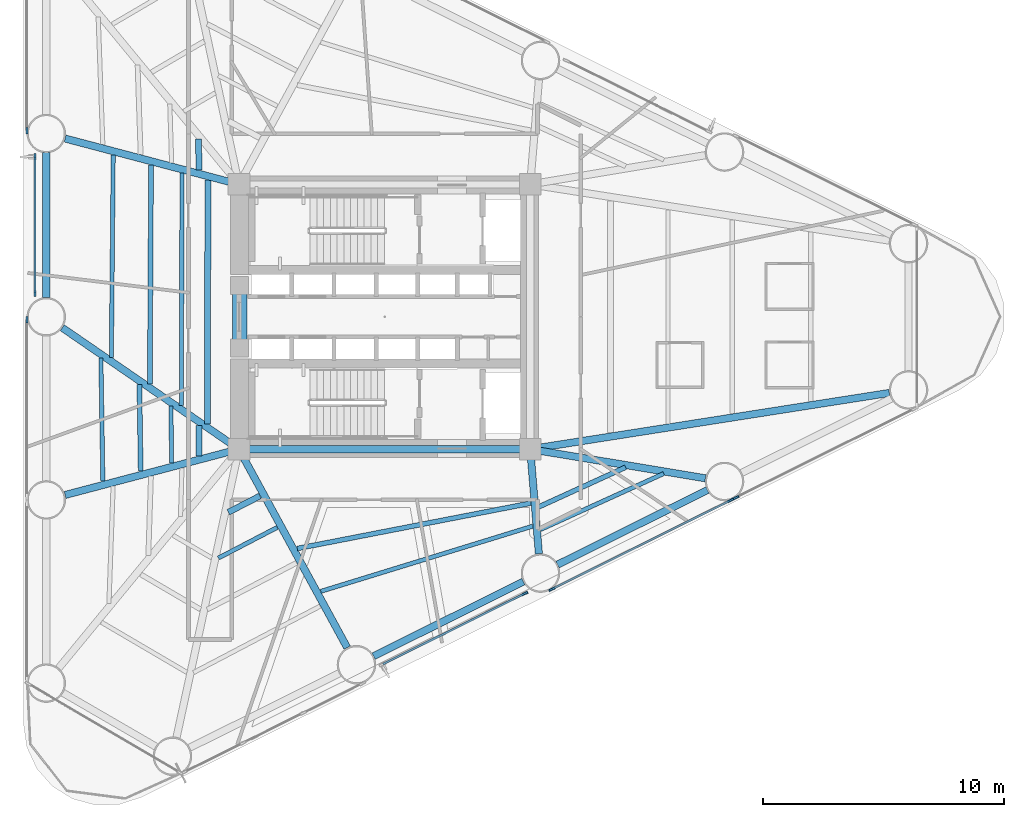
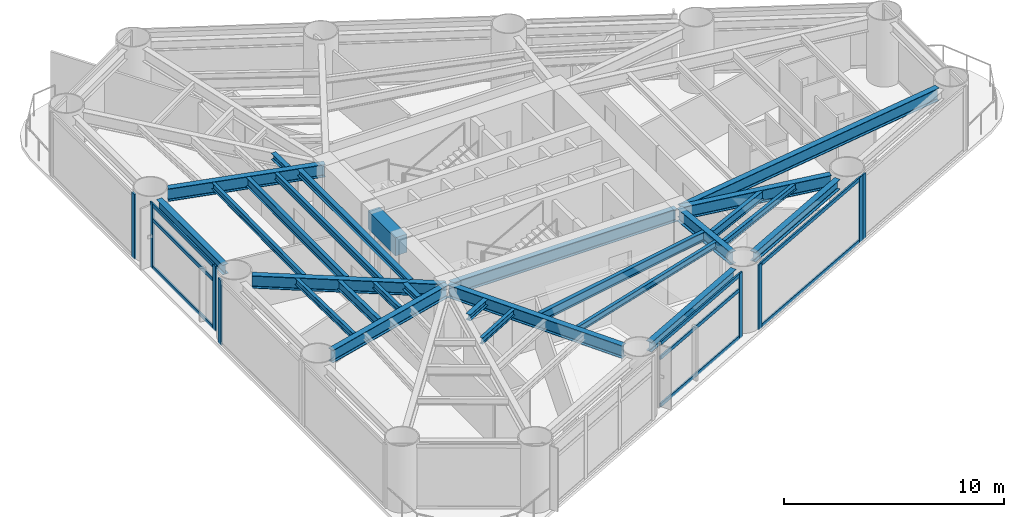
# One storey, part 2 of 11: 27 beams, 16 members, 6 elements without a shape of their own.
"""IFC4 building model written with IfcOpenShell, lengths in metres."""

from ifc_helpers import new_model, si_unit, direction, frame, origin, origin_2d, place, context, subcontext, project, spatial, rectangle, i_section, extrude, source, transform, mapped, material, layer, layer_set, material_profile, profile_set, type_object, element, aggregate, save


model = new_model("IFC4")

# Units and contexts
model_context = context("Model", 3, precision=1e-05, world=origin(), true_north=direction((0.0, 1.0)))
body_context = subcontext(model_context, "Body", "Model", "MODEL_VIEW")
ifc_project = project(units=[si_unit("LENGTHUNIT", "METRE"), si_unit("AREAUNIT", "SQUARE_METRE"), si_unit("VOLUMEUNIT", "CUBIC_METRE"), si_unit("PLANEANGLEUNIT", "RADIAN"), si_unit("MASSUNIT", "GRAM", prefix="KILO")], contexts=[model_context])

# Site, building, storey
site_placement = place(None, origin())
site = spatial("IfcSite", under=ifc_project, at=site_placement, CompositionType="ELEMENT")
building_placement = place(site_placement, origin())
building = spatial("IfcBuilding", under=site, at=building_placement, Name="Yunling Apex Tower", CompositionType="ELEMENT")
storey_placement = place(building_placement, frame((0.0, 0.0, 42.300048828125)))
storey = spatial("IfcBuildingStorey", under=building, at=storey_placement, Name="L12", CompositionType="ELEMENT", Elevation=42.300048828125)

# Beams
ifc_material_1 = material(Name="Concrete C60", Category="concrete")
ifc_material_profile_1 = material_profile(ifc_material_1, rectangle(XDim=0.60009765625, YDim=1.0, at=origin_2d()))
ifc_profile_set_1 = profile_set([ifc_material_profile_1], Name="Concrete C60")
beam_type_1 = type_object("IfcBeamType", Name="BC-CPL-1", PredefinedType="BEAM", material=ifc_profile_set_1)
shared_shape_1 = source(origin(), body_context, "Body", "SweptSolid", [
    extrude(rectangle(XDim=0.60009765625, YDim=1.0, at=origin_2d()), origin(), (0.0, 0.0, 1.0), 2.5),
])
beam_1_placement = place(storey_placement, frame((-6.02490234375, -1.25, 3.014892578125), z_axis=(0.0, 1.0, 0.0), x_axis=(-1.0, 0.0, 0.0)))
element("IfcBeam", 1, at=beam_1_placement, inside=storey, type_object=beam_type_1, Name="L12 Core West Portal Coupling Beam", PredefinedType="BEAM", context=body_context, shape_type="MappedRepresentation", body=[
    mapped(shared_shape_1, transform((0.0, 0.0, 0.0), scale=1.0)),
])
ifc_material_2 = material(Name="Steel Q355B", Category="steel")
ifc_material_profile_2 = material_profile(ifc_material_2, i_section(OverallWidth=0.300048828125, OverallDepth=0.699951171875, WebThickness=0.012939453125, FlangeThickness=0.02392578125, FilletRadius=0.02587890625, at=origin_2d()))
ifc_profile_set_2 = profile_set([ifc_material_profile_2], Name="Steel Q355B")
beam_type_2 = type_object("IfcBeamType", Name="BG-PRI-3", PredefinedType="USERDEFINED", material=ifc_profile_set_2)
shared_shape_2 = source(origin(), body_context, "Body", "SweptSolid", [
    extrude(i_section(OverallWidth=0.300048828125, OverallDepth=0.699951171875, WebThickness=0.012939453125, FlangeThickness=0.02392578125, FilletRadius=0.02587890625, at=origin_2d()), origin(), (0.0, 0.0, 1.0), 11.7998046875),
])
beam_2_placement = place(storey_placement, frame((-5.89990234375, -5.5, 3.1650390625), z_axis=(1.0, 0.0, 0.0), x_axis=(0.0, 1.0, 0.0)))
element("IfcBeam", 2, at=beam_2_placement, inside=storey, type_object=beam_type_2, Name="L12 Core Ring Tie Beam 1", ObjectType="GIRDER", PredefinedType="USERDEFINED", context=body_context, shape_type="MappedRepresentation", body=[
    mapped(shared_shape_2, transform((0.0, 0.0, 0.0), scale=1.0)),
])
ifc_material_profile_3 = material_profile(ifc_material_2, i_section(OverallWidth=0.300048828125, OverallDepth=0.5400390625, WebThickness=0.011962890625, FlangeThickness=0.02001953125, FilletRadius=0.02392578125, at=origin_2d()))
ifc_profile_set_3 = profile_set([ifc_material_profile_3], Name="Steel Q355B")
beam_type_3 = type_object("IfcBeamType", Name="BP-SPN-1", PredefinedType="SPANDREL", material=ifc_profile_set_3)
shared_shape_3 = source(origin(), body_context, "Body", "SweptSolid", [
    extrude(i_section(OverallWidth=0.300048828125, OverallDepth=0.5400390625, WebThickness=0.011962890625, FlangeThickness=0.02001953125, FilletRadius=0.02392578125, at=origin_2d()), origin(), (0.0, 0.0, 1.0), 6.950927734375),
])
beam_3_placement = place(storey_placement, frame((-0.456298828125, -14.099365234375, 3.244873046875), z_axis=(0.895247556401, 0.445569088646, 0.0), x_axis=(-0.445569088646, 0.895247556401, 0.0)))
element("IfcBeam", 3, at=beam_3_placement, inside=storey, type_object=beam_type_3, Name="L12 Perimeter Spandrel Beam 2", PredefinedType="SPANDREL", context=body_context, shape_type="MappedRepresentation", body=[
    mapped(shared_shape_3, transform((0.0, 0.0, 0.0), scale=1.0)),
])
shared_shape_4 = source(origin(), body_context, "Body", "SweptSolid", [
    extrude(i_section(OverallWidth=0.300048828125, OverallDepth=0.5400390625, WebThickness=0.011962890625, FlangeThickness=0.02001953125, FilletRadius=0.02392578125, at=origin_2d()), origin(), (0.0, 0.0, 1.0), 6.95068359375),
])
beam_4_placement = place(storey_placement, frame((7.188232421875, -10.29443359375, 3.244873046875), z_axis=(0.895254593944, 0.445554948375, 0.0), x_axis=(-0.445554948375, 0.895254593944, 0.0)))
element("IfcBeam", 4, at=beam_4_placement, inside=storey, type_object=beam_type_3, Name="L12 Perimeter Spandrel Beam 3", PredefinedType="SPANDREL", context=body_context, shape_type="MappedRepresentation", body=[
    mapped(shared_shape_4, transform((0.0, 0.0, 0.0), scale=1.0)),
])
shared_shape_5 = source(origin(), body_context, "Body", "SweptSolid", [
    extrude(i_section(OverallWidth=0.300048828125, OverallDepth=0.5400390625, WebThickness=0.011962890625, FlangeThickness=0.02001953125, FilletRadius=0.02392578125, at=origin_2d()), origin(), (0.0, 0.0, 1.0), 6.021484375),
])
beam_5_placement = place(storey_placement, frame((-14.052001953125, 6.8154296875, 3.244873046875), z_axis=(0.0, -1.0, 0.0), x_axis=(1.0, 0.0, 0.0)))
element("IfcBeam", 5, at=beam_5_placement, inside=storey, type_object=beam_type_3, Name="L12 Perimeter Spandrel Beam 12", PredefinedType="SPANDREL", context=body_context, shape_type="MappedRepresentation", body=[
    mapped(shared_shape_5, transform((0.0, 0.0, 0.0), scale=1.0)),
])
shared_shape_6 = source(origin(), body_context, "Body", "SweptSolid", [
    extrude(i_section(OverallWidth=0.300048828125, OverallDepth=0.699951171875, WebThickness=0.012939453125, FlangeThickness=0.02392578125, FilletRadius=0.02587890625, at=origin_2d()), origin(), (0.0, 0.0, 1.0), 9.31005859375),
])
beam_6_placement = place(storey_placement, frame((-1.553955078125, -13.74365234375, 3.1650390625), z_axis=(-0.478817221141, 0.877914613581, 0.0), x_axis=(-0.877914613581, -0.478817221141, 0.0)))
element("IfcBeam", 6, at=beam_6_placement, inside=storey, type_object=beam_type_2, Name="L12 Radial Primary Girder R02", ObjectType="GIRDER", PredefinedType="USERDEFINED", context=body_context, shape_type="MappedRepresentation", body=[
    mapped(shared_shape_6, transform((0.0, 0.0, 0.0), scale=1.0)),
])
shared_shape_7 = source(origin(), body_context, "Body", "SweptSolid", [
    extrude(i_section(OverallWidth=0.300048828125, OverallDepth=0.699951171875, WebThickness=0.012939453125, FlangeThickness=0.02392578125, FilletRadius=0.02587890625, at=origin_2d()), origin(), (0.0, 0.0, 1.0), 4.278076171875),
])
beam_7_placement = place(storey_placement, frame((6.41064453125, -9.843017578125, 3.1650390625), z_axis=(-0.082747937789, 0.996570508691, 0.0), x_axis=(-0.996570508691, -0.082747937789, 0.0)))
element("IfcBeam", 7, at=beam_7_placement, inside=storey, type_object=beam_type_2, Name="L12 Radial Primary Girder R03", ObjectType="GIRDER", PredefinedType="USERDEFINED", context=body_context, shape_type="MappedRepresentation", body=[
    mapped(shared_shape_7, transform((0.0, 0.0, 0.0), scale=1.0)),
])
shared_shape_8 = source(origin(), body_context, "Body", "SweptSolid", [
    extrude(i_section(OverallWidth=0.300048828125, OverallDepth=0.699951171875, WebThickness=0.012939453125, FlangeThickness=0.02392578125, FilletRadius=0.02587890625, at=origin_2d()), origin(), (0.0, 0.0, 1.0), 7.294921875),
])
beam_8_placement = place(storey_placement, frame((13.32470703125, -6.7109375, 3.1650390625), z_axis=(-0.98642827455, 0.164192750049, 0.0), x_axis=(-0.164192750049, -0.98642827455, 0.0)))
element("IfcBeam", 8, at=beam_8_placement, inside=storey, type_object=beam_type_2, Name="L12 Radial Primary Girder R04", ObjectType="GIRDER", PredefinedType="USERDEFINED", context=body_context, shape_type="MappedRepresentation", body=[
    mapped(shared_shape_8, transform((0.0, 0.0, 0.0), scale=1.0)),
])
shared_shape_9 = source(origin(), body_context, "Body", "SweptSolid", [
    extrude(i_section(OverallWidth=0.300048828125, OverallDepth=0.699951171875, WebThickness=0.012939453125, FlangeThickness=0.02392578125, FilletRadius=0.02587890625, at=origin_2d()), origin(), (0.0, 0.0, 1.0), 15.02001953125),
])
beam_9_placement = place(storey_placement, frame((20.968017578125, -3.163818359375, 3.1650390625), z_axis=(-0.987959991473, -0.154709583568, 0.0), x_axis=(0.154709583568, -0.987959991473, 0.0)))
element("IfcBeam", 9, at=beam_9_placement, inside=storey, type_object=beam_type_2, Name="L12 Radial Primary Girder R05", ObjectType="GIRDER", PredefinedType="USERDEFINED", context=body_context, shape_type="MappedRepresentation", body=[
    mapped(shared_shape_9, transform((0.0, 0.0, 0.0), scale=1.0)),
])
shared_shape_10 = source(origin(), body_context, "Body", "SweptSolid", [
    extrude(i_section(OverallWidth=0.300048828125, OverallDepth=0.699951171875, WebThickness=0.012939453125, FlangeThickness=0.02392578125, FilletRadius=0.02587890625, at=origin_2d()), origin(), (0.0, 0.0, 1.0), 7.387451171875),
])
for number, where, z_axis, x_axis, name in (
    (10, (-13.270751953125, 7.403564453125, 3.1650390625), (0.966966571797, -0.25490321502, 0.0), (0.25490321502, 0.966966571797, 0.0), "L12 Radial Primary Girder R12"),
    (11, (-13.270751953125, -7.403564453125, 3.1650390625), (0.966966571797, 0.25490321502, 0.0), (-0.25490321502, 0.966966571797, 0.0), "L12 Radial Primary Girder R14"),
):
    element("IfcBeam", number, at=place(storey_placement, frame(where, z_axis=z_axis, x_axis=x_axis)), inside=storey, type_object=beam_type_2, Name=name, ObjectType="GIRDER", PredefinedType="USERDEFINED", context=body_context, shape_type="MappedRepresentation", body=[
        mapped(shared_shape_10, transform((0.0, 0.0, 0.0), scale=1.0)),
    ])
shared_shape_11 = source(origin(), body_context, "Body", "SweptSolid", [
    extrude(i_section(OverallWidth=0.300048828125, OverallDepth=0.699951171875, WebThickness=0.012939453125, FlangeThickness=0.02392578125, FilletRadius=0.02587890625, at=origin_2d()), origin(), (0.0, 0.0, 1.0), 8.821533203125),
])
beam_10_placement = place(storey_placement, frame((-13.385986328125, -0.457763671875, 3.1650390625), z_axis=(0.824111362877, -0.566427807912, 0.0), x_axis=(0.566427807912, 0.824111362877, 0.0)))
element("IfcBeam", 12, at=beam_10_placement, inside=storey, type_object=beam_type_2, Name="L12 Radial Primary Girder R13", ObjectType="GIRDER", PredefinedType="USERDEFINED", context=body_context, shape_type="MappedRepresentation", body=[
    mapped(shared_shape_11, transform((0.0, 0.0, 0.0), scale=1.0)),
])
ifc_material_profile_4 = material_profile(ifc_material_2, i_section(OverallWidth=0.175048828125, OverallDepth=0.35009765625, WebThickness=0.007080078125, FlangeThickness=0.010986328125, FilletRadius=0.013916015625, at=origin_2d()))
ifc_profile_set_4 = profile_set([ifc_material_profile_4], Name="Steel Q355B")
beam_type_4 = type_object("IfcBeamType", Name="BJ-JST-1", PredefinedType="JOIST", material=ifc_profile_set_4)
shared_shape_12 = source(origin(), body_context, "Body", "SweptSolid", [
    extrude(i_section(OverallWidth=0.175048828125, OverallDepth=0.35009765625, WebThickness=0.007080078125, FlangeThickness=0.010986328125, FilletRadius=0.013916015625, at=origin_2d()), origin(), (0.0, 0.0, 1.0), 2.7548828125),
])
beam_11_placement = place(storey_placement, frame((-6.903076171875, -10.0224609375, 3.33984375), z_axis=(0.886932237595, 0.461899562584, 0.0), x_axis=(-0.461899562584, 0.886932237595, 0.0)))
element("IfcBeam", 13, at=beam_11_placement, inside=storey, type_object=beam_type_4, Name="L12 Composite Floor Joist BJ3-1", PredefinedType="JOIST", context=body_context, shape_type="MappedRepresentation", body=[
    mapped(shared_shape_12, transform((0.0, 0.0, 0.0), scale=1.0)),
])
ifc_material_profile_5 = material_profile(ifc_material_2, i_section(OverallWidth=0.25, OverallDepth=0.340087890625, WebThickness=0.009033203125, FlangeThickness=0.013916015625, FilletRadius=0.01806640625, at=origin_2d()))
ifc_profile_set_5 = profile_set([ifc_material_profile_5], Name="Steel Q355B")
beam_type_5 = type_object("IfcBeamType", Name="BJ-JST-2", PredefinedType="JOIST", material=ifc_profile_set_5)
shared_shape_13 = source(origin(), body_context, "Body", "SweptSolid", [
    extrude(i_section(OverallWidth=0.25, OverallDepth=0.340087890625, WebThickness=0.009033203125, FlangeThickness=0.013916015625, FilletRadius=0.01806640625, at=origin_2d()), origin(), (0.0, 0.0, 1.0), 1.482421875),
])
beam_12_placement = place(storey_placement, frame((-6.490966796875, -8.12060546875, 3.344970703125), z_axis=(0.888960334438, 0.457984196012, 0.0), x_axis=(-0.457984196012, 0.888960334438, 0.0)))
element("IfcBeam", 14, at=beam_12_placement, inside=storey, type_object=beam_type_5, Name="L12 Composite Floor Joist BJ2-1", PredefinedType="JOIST", context=body_context, shape_type="MappedRepresentation", body=[
    mapped(shared_shape_13, transform((0.0, 0.0, 0.0), scale=1.0)),
])
ifc_material_profile_6 = material_profile(ifc_material_2, i_section(OverallWidth=0.199951171875, OverallDepth=0.5, WebThickness=0.010009765625, FlangeThickness=0.01611328125, FilletRadius=0.02001953125, at=origin_2d()))
ifc_profile_set_6 = profile_set([ifc_material_profile_6], Name="Steel Q355B")
beam_type_6 = type_object("IfcBeamType", Name="BS-SEC-2", PredefinedType="BEAM", material=ifc_profile_set_6)
shared_shape_14 = source(origin(), body_context, "Body", "SweptSolid", [
    extrude(i_section(OverallWidth=0.199951171875, OverallDepth=0.5, WebThickness=0.010009765625, FlangeThickness=0.01611328125, FilletRadius=0.02001953125, at=origin_2d()), origin(), (0.0, 0.0, 1.0), 9.883544921875),
])
beam_13_placement = place(storey_placement, frame((-3.625732421875, -9.62646484375, 3.264892578125), z_axis=(0.981653423938, 0.190673950161, 0.0), x_axis=(-0.190673950161, 0.981653423938, 0.0)))
element("IfcBeam", 15, at=beam_13_placement, inside=storey, type_object=beam_type_6, Name="L12 Composite Floor Beam BS-2", PredefinedType="BEAM", context=body_context, shape_type="MappedRepresentation", body=[
    mapped(shared_shape_14, transform((0.0, 0.0, 0.0), scale=1.0)),
])
shared_shape_15 = source(origin(), body_context, "Body", "SweptSolid", [
    extrude(i_section(OverallWidth=0.175048828125, OverallDepth=0.35009765625, WebThickness=0.007080078125, FlangeThickness=0.010986328125, FilletRadius=0.013916015625, at=origin_2d()), origin(), (0.0, 0.0, 1.0), 9.2158203125),
])
beam_14_placement = place(storey_placement, frame((-2.649169921875, -11.407958984375, 3.33984375), z_axis=(0.955731454849, 0.294240354492, 0.0), x_axis=(-0.294240354492, 0.955731454849, 0.0)))
element("IfcBeam", 16, at=beam_14_placement, inside=storey, type_object=beam_type_4, Name="L12 Composite Floor Joist BJ1-2", PredefinedType="JOIST", context=body_context, shape_type="MappedRepresentation", body=[
    mapped(shared_shape_15, transform((0.0, 0.0, 0.0), scale=1.0)),
])
shared_shape_16 = source(origin(), body_context, "Body", "SweptSolid", [
    extrude(i_section(OverallWidth=0.199951171875, OverallDepth=0.5, WebThickness=0.010009765625, FlangeThickness=0.01611328125, FilletRadius=0.02001953125, at=origin_2d()), origin(), (0.0, 0.0, 1.0), 3.971923828125),
])
beam_15_placement = place(storey_placement, frame((6.400390625, -7.900634765625, 3.264892578125), z_axis=(0.909609234888, 0.415464847858, 0.0), x_axis=(-0.415464847858, 0.909609234888, 0.0)))
element("IfcBeam", 17, at=beam_15_placement, inside=storey, type_object=beam_type_6, Name="L12 Composite Floor Beam BS-3", PredefinedType="BEAM", context=body_context, shape_type="MappedRepresentation", body=[
    mapped(shared_shape_16, transform((0.0, 0.0, 0.0), scale=1.0)),
])
shared_shape_17 = source(origin(), body_context, "Body", "SweptSolid", [
    extrude(i_section(OverallWidth=0.175048828125, OverallDepth=0.35009765625, WebThickness=0.007080078125, FlangeThickness=0.010986328125, FilletRadius=0.013916015625, at=origin_2d()), origin(), (0.0, 0.0, 1.0), 5.62109375),
])
beam_16_placement = place(storey_placement, frame((6.478515625, -8.839111328125, 3.33984375), z_axis=(0.910411095702, 0.413704770124, 0.0), x_axis=(-0.413704770124, 0.910411095702, 0.0)))
element("IfcBeam", 18, at=beam_16_placement, inside=storey, type_object=beam_type_4, Name="L12 Composite Floor Joist BJ1-3", PredefinedType="JOIST", context=body_context, shape_type="MappedRepresentation", body=[
    mapped(shared_shape_17, transform((0.0, 0.0, 0.0), scale=1.0)),
])
shared_shape_18 = source(origin(), body_context, "Body", "SweptSolid", [
    extrude(i_section(OverallWidth=0.25, OverallDepth=0.340087890625, WebThickness=0.009033203125, FlangeThickness=0.013916015625, FilletRadius=0.01806640625, at=origin_2d()), origin(), (0.0, 0.0, 1.0), 1.294921875),
])
beam_17_placement = place(storey_placement, frame((-7.7333984375, 7.38916015625, 3.344970703125), z_axis=(0.023753431789, -0.999717847434, 0.0), x_axis=(0.999717847434, 0.023753431789, 0.0)))
element("IfcBeam", 19, at=beam_17_placement, inside=storey, type_object=beam_type_5, Name="L12 Composite Floor Joist BJ2-11", PredefinedType="JOIST", context=body_context, shape_type="MappedRepresentation", body=[
    mapped(shared_shape_18, transform((0.0, 0.0, 0.0), scale=1.0)),
])
shared_shape_19 = source(origin(), body_context, "Body", "SweptSolid", [
    extrude(i_section(OverallWidth=0.199951171875, OverallDepth=0.5, WebThickness=0.010009765625, FlangeThickness=0.01611328125, FilletRadius=0.02001953125, at=origin_2d()), origin(), (0.0, 0.0, 1.0), 9.098388671875),
])
beam_18_placement = place(storey_placement, frame((-9.699951171875, 6.302001953125, 3.264892578125), z_axis=(-0.005500909631, -0.999984869882, 0.0), x_axis=(0.999984869882, -0.005500909631, 0.0)))
element("IfcBeam", 20, at=beam_18_placement, inside=storey, type_object=beam_type_6, Name="L12 Composite Floor Beam BS-12", PredefinedType="BEAM", context=body_context, shape_type="MappedRepresentation", body=[
    mapped(shared_shape_19, transform((0.0, 0.0, 0.0), scale=1.0)),
])
shared_shape_20 = source(origin(), body_context, "Body", "SweptSolid", [
    extrude(i_section(OverallWidth=0.175048828125, OverallDepth=0.35009765625, WebThickness=0.007080078125, FlangeThickness=0.010986328125, FilletRadius=0.013916015625, at=origin_2d()), origin(), (0.0, 0.0, 1.0), 8.41357421875),
])
beam_19_placement = place(storey_placement, frame((-11.27197265625, 6.71630859375, 3.33984375), z_axis=(-0.009169400639, -0.999957960162, 0.0), x_axis=(0.999957960162, -0.009169400639, 0.0)))
element("IfcBeam", 21, at=beam_19_placement, inside=storey, type_object=beam_type_4, Name="L12 Composite Floor Joist BJ1-12", PredefinedType="JOIST", context=body_context, shape_type="MappedRepresentation", body=[
    mapped(shared_shape_20, transform((0.0, 0.0, 0.0), scale=1.0)),
])
shared_shape_21 = source(origin(), body_context, "Body", "SweptSolid", [
    extrude(i_section(OverallWidth=0.175048828125, OverallDepth=0.35009765625, WebThickness=0.007080078125, FlangeThickness=0.010986328125, FilletRadius=0.013916015625, at=origin_2d()), origin(), (0.0, 0.0, 1.0), 9.65869140625),
])
beam_20_placement = place(storey_placement, frame((-8.413818359375, 5.962890625, 3.33984375), z_axis=(-0.002906817505, -0.999995775197, 0.0), x_axis=(0.999995775197, -0.002906817505, 0.0)))
element("IfcBeam", 22, at=beam_20_placement, inside=storey, type_object=beam_type_4, Name="L12 Composite Floor Joist BJ3-12", PredefinedType="JOIST", context=body_context, shape_type="MappedRepresentation", body=[
    mapped(shared_shape_21, transform((0.0, 0.0, 0.0), scale=1.0)),
])
shared_shape_22 = source(origin(), body_context, "Body", "SweptSolid", [
    extrude(i_section(OverallWidth=0.25, OverallDepth=0.340087890625, WebThickness=0.009033203125, FlangeThickness=0.013916015625, FilletRadius=0.01806640625, at=origin_2d()), origin(), (0.0, 0.0, 1.0), 10.125732421875),
])
beam_21_placement = place(storey_placement, frame((-7.341796875, 5.680419921875, 3.344970703125), z_axis=(-0.000988546835, -0.999999511387, 0.0), x_axis=(0.999999511387, -0.000988546835, 0.0)))
element("IfcBeam", 23, at=beam_21_placement, inside=storey, type_object=beam_type_5, Name="L12 Composite Floor Joist BJ2-12", PredefinedType="JOIST", context=body_context, shape_type="MappedRepresentation", body=[
    mapped(shared_shape_22, transform((0.0, 0.0, 0.0), scale=1.0)),
])
shared_shape_23 = source(origin(), body_context, "Body", "SweptSolid", [
    extrude(i_section(OverallWidth=0.199951171875, OverallDepth=0.5, WebThickness=0.010009765625, FlangeThickness=0.01611328125, FilletRadius=0.02001953125, at=origin_2d()), origin(), (0.0, 0.0, 1.0), 3.59912109375),
])
beam_22_placement = place(storey_placement, frame((-10.184814453125, -2.81640625, 3.264892578125), z_axis=(0.015194989083, -0.999884549489, 0.0), x_axis=(0.999884549489, 0.015194989083, 0.0)))
element("IfcBeam", 24, at=beam_22_placement, inside=storey, type_object=beam_type_6, Name="L12 Composite Floor Beam BS-13", PredefinedType="BEAM", context=body_context, shape_type="MappedRepresentation", body=[
    mapped(shared_shape_23, transform((0.0, 0.0, 0.0), scale=1.0)),
])
shared_shape_24 = source(origin(), body_context, "Body", "SweptSolid", [
    extrude(i_section(OverallWidth=0.175048828125, OverallDepth=0.35009765625, WebThickness=0.007080078125, FlangeThickness=0.010986328125, FilletRadius=0.013916015625, at=origin_2d()), origin(), (0.0, 0.0, 1.0), 5.11279296875),
])
beam_23_placement = place(storey_placement, frame((-11.7841796875, -1.717041015625, 3.33984375), z_axis=(0.016092285311, -0.999870510793, 0.0), x_axis=(0.999870510793, 0.016092285311, 0.0)))
element("IfcBeam", 25, at=beam_23_placement, inside=storey, type_object=beam_type_4, Name="L12 Composite Floor Joist BJ1-13", PredefinedType="JOIST", context=body_context, shape_type="MappedRepresentation", body=[
    mapped(shared_shape_24, transform((0.0, 0.0, 0.0), scale=1.0)),
])
shared_shape_25 = source(origin(), body_context, "Body", "SweptSolid", [
    extrude(i_section(OverallWidth=0.175048828125, OverallDepth=0.35009765625, WebThickness=0.007080078125, FlangeThickness=0.010986328125, FilletRadius=0.013916015625, at=origin_2d()), origin(), (0.0, 0.0, 1.0), 2.3603515625),
])
beam_24_placement = place(storey_placement, frame((-8.87646484375, -3.7158203125, 3.33984375), z_axis=(0.013756844339, -0.99990537014, 0.0), x_axis=(0.99990537014, 0.013756844339, 0.0)))
element("IfcBeam", 26, at=beam_24_placement, inside=storey, type_object=beam_type_4, Name="L12 Composite Floor Joist BJ3-13", PredefinedType="JOIST", context=body_context, shape_type="MappedRepresentation", body=[
    mapped(shared_shape_25, transform((0.0, 0.0, 0.0), scale=1.0)),
])
shared_shape_26 = source(origin(), body_context, "Body", "SweptSolid", [
    extrude(i_section(OverallWidth=0.25, OverallDepth=0.340087890625, WebThickness=0.009033203125, FlangeThickness=0.013916015625, FilletRadius=0.01806640625, at=origin_2d()), origin(), (0.0, 0.0, 1.0), 1.25927734375),
])
beam_25_placement = place(storey_placement, frame((-7.713623046875, -4.515380859375, 3.344970703125), z_axis=(0.010274758105, -0.99994721328, 0.0), x_axis=(0.99994721328, 0.010274758105, 0.0)))
element("IfcBeam", 27, at=beam_25_placement, inside=storey, type_object=beam_type_5, Name="L12 Composite Floor Joist BJ2-13", PredefinedType="JOIST", context=body_context, shape_type="MappedRepresentation", body=[
    mapped(shared_shape_26, transform((0.0, 0.0, 0.0), scale=1.0)),
])

# Curtain wall, member
ifc_material_3 = material(Name="Bronze anodised aluminium", Category="aluminium")
ifc_layer = layer(ifc_material_3, 0.260009765625)
ifc_layer_set = layer_set([ifc_layer], Name="Bronze anodised aluminium")
curtain_wall_type = type_object("IfcCurtainWallType", Name="CW-SYS-2", PredefinedType="NOTDEFINED", material=ifc_layer_set)
curtain_wall_1_placement = place(storey_placement, origin())
curtain_wall_1 = element("IfcCurtainWall", 28, at=curtain_wall_1_placement, inside=storey, type_object=curtain_wall_type, Name="CW-L12-F1-B2", PredefinedType="NOTDEFINED")
ifc_material_profile_7 = material_profile(ifc_material_3, rectangle(XDim=0.0849609375, YDim=0.260009765625, at=origin_2d()))
ifc_profile_set_7 = profile_set([ifc_material_profile_7], Name="Bronze anodised aluminium")
member_type_1 = type_object("IfcMemberType", Name="CW-MUL-2", PredefinedType="MULLION", material=ifc_profile_set_7)
shared_shape_27 = source(origin(), body_context, "Body", "SweptSolid", [
    extrude(rectangle(XDim=0.0849609375, YDim=0.260009765625, at=origin_2d()), origin(), (0.0, 0.0, 1.0), 3.614990234375),
])
member_1_placement = place(storey_placement, frame((5.8251953125, -11.498046875, -0.050048828125), z_axis=(0.0, 0.0, 1.0), x_axis=(-0.445582781121, 0.895240741459, 0.0)))
member_1 = element("IfcMember", 29, at=member_1_placement, type_object=member_type_1, Name="CW-SYS-2 mullion 2", PredefinedType="MULLION", context=body_context, shape_type="MappedRepresentation", body=[
    mapped(shared_shape_27, transform((0.0, 0.0, 0.0), scale=1.0)),
])

# Curtain wall, members
curtain_wall_2_placement = place(storey_placement, origin())
curtain_wall_2 = element("IfcCurtainWall", 30, at=curtain_wall_2_placement, inside=storey, type_object=curtain_wall_type, Name="CW-L12-F1-B3", PredefinedType="NOTDEFINED")
member_2_placement = place(storey_placement, frame((6.947998046875, -11.31884765625, -0.050048828125), z_axis=(0.0, 0.0, 1.0), x_axis=(-0.445570625003, 0.895246791748, 0.0)))
member_2 = element("IfcMember", 31, at=member_2_placement, type_object=member_type_1, Name="CW-SYS-2 mullion 1", PredefinedType="MULLION", context=body_context, shape_type="MappedRepresentation", body=[
    mapped(shared_shape_27, transform((0.0, 0.0, 0.0), scale=1.0)),
])
member_3_placement = place(storey_placement, frame((14.373046875, -7.623291015625, -0.050048828125), z_axis=(0.0, 0.0, 1.0), x_axis=(-0.445570625003, 0.895246791748, 0.0)))
member_3 = element("IfcMember", 32, at=member_3_placement, type_object=member_type_1, Name="CW-SYS-2 mullion 2", PredefinedType="MULLION", context=body_context, shape_type="MappedRepresentation", body=[
    mapped(shared_shape_27, transform((0.0, 0.0, 0.0), scale=1.0)),
])

# Curtain wall, member
curtain_wall_3_placement = place(storey_placement, origin())
curtain_wall_3 = element("IfcCurtainWall", 33, at=curtain_wall_3_placement, inside=storey, type_object=curtain_wall_type, Name="CW-L12-F1-B4", PredefinedType="NOTDEFINED")
member_4_placement = place(storey_placement, frame((14.59228515625, -7.51416015625, -0.050048828125), z_axis=(0.0, 0.0, 1.0), x_axis=(-0.445580190214, 0.895242031011, 0.0)))
member_4 = element("IfcMember", 34, at=member_4_placement, type_object=member_type_1, Name="CW-SYS-2 mullion 1", PredefinedType="MULLION", context=body_context, shape_type="MappedRepresentation", body=[
    mapped(shared_shape_27, transform((0.0, 0.0, 0.0), scale=1.0)),
])
aggregate(curtain_wall_3, [member_4])

curtain_wall_4_placement = place(storey_placement, origin())
curtain_wall_4 = element("IfcCurtainWall", 35, at=curtain_wall_4_placement, inside=storey, type_object=curtain_wall_type, Name="CW-L12-F3-B1", PredefinedType="NOTDEFINED")
member_5_placement = place(storey_placement, frame((-14.862060546875, 7.73193359375, -0.050048828125), z_axis=(0.0, 0.0, 1.0), x_axis=(1.0, 0.0, 0.0)))
member_5 = element("IfcMember", 36, at=member_5_placement, type_object=member_type_1, Name="CW-SYS-2 mullion 2", PredefinedType="MULLION", context=body_context, shape_type="MappedRepresentation", body=[
    mapped(shared_shape_27, transform((0.0, 0.0, 0.0), scale=1.0)),
])
aggregate(curtain_wall_4, [member_5])

# Curtain wall, members
curtain_wall_5_placement = place(storey_placement, origin())
curtain_wall_5 = element("IfcCurtainWall", 37, at=curtain_wall_5_placement, inside=storey, type_object=curtain_wall_type, Name="CW-L12-F3-B2", PredefinedType="NOTDEFINED")
member_6_placement = place(storey_placement, frame((-14.52197265625, 6.64697265625, -0.050048828125), z_axis=(0.0, 0.0, 1.0), x_axis=(1.0, 0.0, 0.0)))
member_6 = element("IfcMember", 38, at=member_6_placement, type_object=member_type_1, Name="CW-SYS-2 mullion 1", PredefinedType="MULLION", context=body_context, shape_type="MappedRepresentation", body=[
    mapped(shared_shape_27, transform((0.0, 0.0, 0.0), scale=1.0)),
])
member_7_placement = place(storey_placement, frame((-14.52197265625, 0.96240234375, -0.050048828125), z_axis=(0.0, 0.0, 1.0), x_axis=(1.0, 0.0, 0.0)))
member_7 = element("IfcMember", 39, at=member_7_placement, type_object=member_type_1, Name="CW-SYS-2 mullion 2", PredefinedType="MULLION", context=body_context, shape_type="MappedRepresentation", body=[
    mapped(shared_shape_27, transform((0.0, 0.0, 0.0), scale=1.0)),
])

# Curtain wall, member
curtain_wall_6_placement = place(storey_placement, origin())
curtain_wall_6 = element("IfcCurtainWall", 40, at=curtain_wall_6_placement, inside=storey, type_object=curtain_wall_type, Name="CW-L12-F3-B3", PredefinedType="NOTDEFINED")
member_8_placement = place(storey_placement, frame((-14.862060546875, -0.12255859375, -0.050048828125), z_axis=(0.0, 0.0, 1.0), x_axis=(1.0, 0.0, 0.0)))
member_8 = element("IfcMember", 41, at=member_8_placement, type_object=member_type_1, Name="CW-SYS-2 mullion 1", PredefinedType="MULLION", context=body_context, shape_type="MappedRepresentation", body=[
    mapped(shared_shape_27, transform((0.0, 0.0, 0.0), scale=1.0)),
])
aggregate(curtain_wall_6, [member_8])

# Member
ifc_material_profile_8 = material_profile(ifc_material_3, rectangle(XDim=0.0849609375, YDim=0.199951171875, at=origin_2d()))
ifc_profile_set_8 = profile_set([ifc_material_profile_8], Name="Bronze anodised aluminium")
member_type_2 = type_object("IfcMemberType", Name="CW-TRN-2", PredefinedType="USERDEFINED", material=ifc_profile_set_8)
shared_shape_28 = source(origin(), body_context, "Body", "SweptSolid", [
    extrude(rectangle(XDim=0.0849609375, YDim=0.199951171875, at=origin_2d()), origin(), (0.0, 0.0, 1.0), 8.217529296875),
])
member_9_placement = place(storey_placement, frame((6.982177734375, -11.3017578125, 0.04248046875), z_axis=(0.895251603772, 0.445560956485, 0.0), x_axis=(-0.445560956485, 0.895251603772, 0.0)))
member_9 = element("IfcMember", 42, at=member_9_placement, type_object=member_type_2, Name="CW-SYS-2 transom 1.1", ObjectType="TRANSOM", PredefinedType="USERDEFINED", context=body_context, shape_type="MappedRepresentation", body=[
    mapped(shared_shape_28, transform((0.0, 0.0, 0.0), scale=1.0)),
])

member_10_placement = place(storey_placement, frame((6.982177734375, -11.3017578125, 3.472412109375), z_axis=(0.895251603772, 0.445560956485, 0.0), x_axis=(-0.445560956485, 0.895251603772, 0.0)))
member_10 = element("IfcMember", 43, at=member_10_placement, type_object=member_type_2, Name="CW-SYS-2 transom 1.2", ObjectType="TRANSOM", PredefinedType="USERDEFINED", context=body_context, shape_type="MappedRepresentation", body=[
    mapped(shared_shape_28, transform((0.0, 0.0, 0.0), scale=1.0)),
])

aggregate(curtain_wall_2, [member_2, member_3, member_9, member_10])

shared_shape_29 = source(origin(), body_context, "Body", "SweptSolid", [
    extrude(rectangle(XDim=0.0849609375, YDim=0.199951171875, at=origin_2d()), origin(), (0.0, 0.0, 1.0), 6.53759765625),
])
member_11_placement = place(storey_placement, frame((-0.061767578125, -14.427978515625, 0.04248046875), z_axis=(0.89523980106, 0.445584670515, 0.0), x_axis=(-0.445584670515, 0.89523980106, 0.0)))
member_11 = element("IfcMember", 44, at=member_11_placement, type_object=member_type_2, Name="CW-SYS-2 transom 1.1", ObjectType="TRANSOM", PredefinedType="USERDEFINED", context=body_context, shape_type="MappedRepresentation", body=[
    mapped(shared_shape_29, transform((0.0, 0.0, 0.0), scale=1.0)),
])

member_12_placement = place(storey_placement, frame((-0.061767578125, -14.427978515625, 2.67138671875), z_axis=(0.89523980106, 0.445584670515, 0.0), x_axis=(-0.445584670515, 0.89523980106, 0.0)))
member_12 = element("IfcMember", 45, at=member_12_placement, type_object=member_type_2, Name="CW-SYS-2 transom 1.2", ObjectType="TRANSOM", PredefinedType="USERDEFINED", context=body_context, shape_type="MappedRepresentation", body=[
    mapped(shared_shape_29, transform((0.0, 0.0, 0.0), scale=1.0)),
])

member_13_placement = place(storey_placement, frame((-0.061767578125, -14.427978515625, 3.472412109375), z_axis=(0.89523980106, 0.445584670515, 0.0), x_axis=(-0.445584670515, 0.89523980106, 0.0)))
member_13 = element("IfcMember", 46, at=member_13_placement, type_object=member_type_2, Name="CW-SYS-2 transom 1.3", ObjectType="TRANSOM", PredefinedType="USERDEFINED", context=body_context, shape_type="MappedRepresentation", body=[
    mapped(shared_shape_29, transform((0.0, 0.0, 0.0), scale=1.0)),
])

aggregate(curtain_wall_1, [member_1, member_11, member_12, member_13])

shared_shape_30 = source(origin(), body_context, "Body", "SweptSolid", [
    extrude(rectangle(XDim=0.0849609375, YDim=0.199951171875, at=origin_2d()), origin(), (0.0, 0.0, 1.0), 5.60791015625),
])
member_14_placement = place(storey_placement, frame((-14.52197265625, 6.608642578125, 0.04248046875), z_axis=(0.0, -1.0, 0.0), x_axis=(1.0, 0.0, 0.0)))
member_14 = element("IfcMember", 47, at=member_14_placement, type_object=member_type_2, Name="CW-SYS-2 transom 1.1", ObjectType="TRANSOM", PredefinedType="USERDEFINED", context=body_context, shape_type="MappedRepresentation", body=[
    mapped(shared_shape_30, transform((0.0, 0.0, 0.0), scale=1.0)),
])

member_15_placement = place(storey_placement, frame((-14.52197265625, 6.608642578125, 2.67138671875), z_axis=(0.0, -1.0, 0.0), x_axis=(1.0, 0.0, 0.0)))
member_15 = element("IfcMember", 48, at=member_15_placement, type_object=member_type_2, Name="CW-SYS-2 transom 1.2", ObjectType="TRANSOM", PredefinedType="USERDEFINED", context=body_context, shape_type="MappedRepresentation", body=[
    mapped(shared_shape_30, transform((0.0, 0.0, 0.0), scale=1.0)),
])

member_16_placement = place(storey_placement, frame((-14.52197265625, 6.608642578125, 3.472412109375), z_axis=(0.0, -1.0, 0.0), x_axis=(1.0, 0.0, 0.0)))
member_16 = element("IfcMember", 49, at=member_16_placement, type_object=member_type_2, Name="CW-SYS-2 transom 1.3", ObjectType="TRANSOM", PredefinedType="USERDEFINED", context=body_context, shape_type="MappedRepresentation", body=[
    mapped(shared_shape_30, transform((0.0, 0.0, 0.0), scale=1.0)),
])

aggregate(curtain_wall_5, [member_6, member_7, member_14, member_15, member_16])

save(model, "model.ifc")
